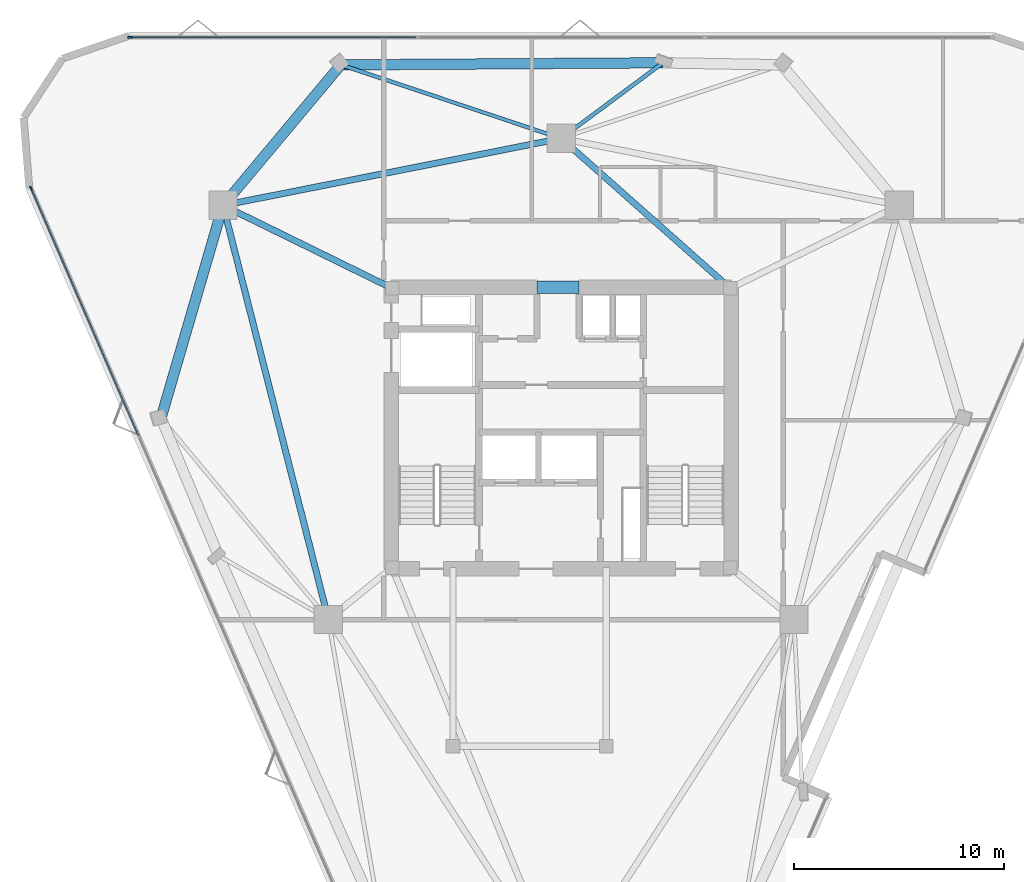
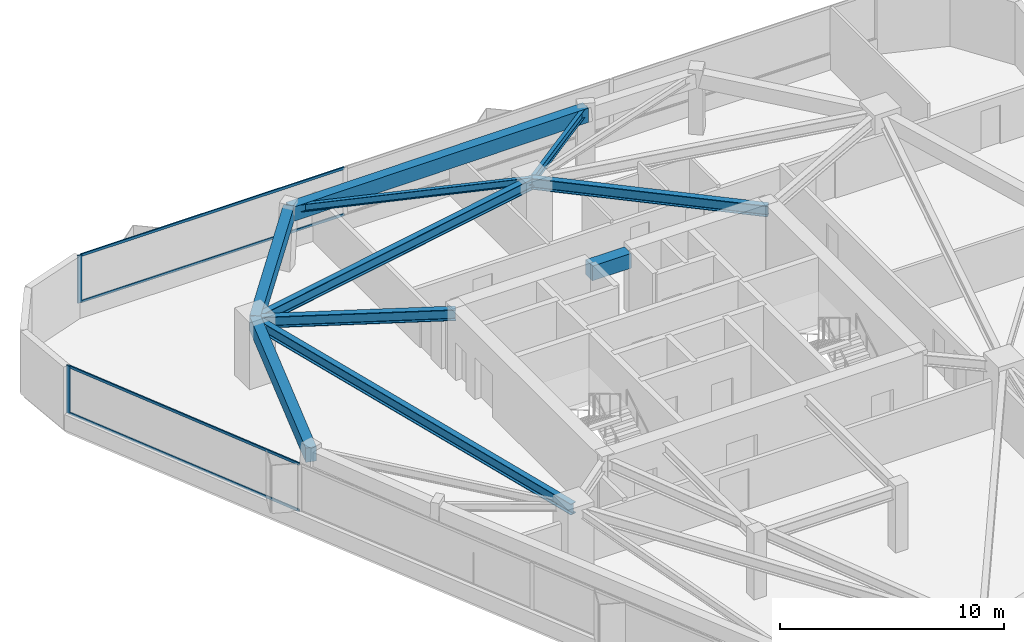
# One storey, part 4 of 9: 10 beams, 6 members, 2 elements without a shape of their own.
"""IFC4 building model written with IfcOpenShell, lengths in metres."""

from ifc_helpers import new_model, si_unit, direction, frame, origin, origin_2d, place, context, subcontext, project, spatial, rectangle, i_section, extrude, material, layer, layer_set, material_profile, profile_set, type_object, element, aggregate, save


model = new_model("IFC4")

# Units and contexts
model_context = context("Model", 3, precision=1e-05, world=origin(), true_north=direction((0.0, 1.0)))
body_context = subcontext(model_context, "Body", "Model", "MODEL_VIEW")
ifc_project = project(units=[si_unit("LENGTHUNIT", "METRE"), si_unit("AREAUNIT", "SQUARE_METRE"), si_unit("VOLUMEUNIT", "CUBIC_METRE"), si_unit("PLANEANGLEUNIT", "RADIAN"), si_unit("MASSUNIT", "GRAM", prefix="KILO")], contexts=[model_context])

# Site, building, storey
site_placement = place(None, origin())
site = spatial("IfcSite", under=ifc_project, at=site_placement, CompositionType="ELEMENT")
building_placement = place(site_placement, origin())
building = spatial("IfcBuilding", under=site, at=building_placement, Name="Talyreon Biosciences Tower", CompositionType="ELEMENT")
storey_placement = place(building_placement, frame((0.0, 0.0, 208.60009765625)))
storey = spatial("IfcBuildingStorey", under=building, at=storey_placement, Name="L55", CompositionType="ELEMENT", Elevation=208.60009765625)

# Curtain wall, member
ifc_material_1 = material(Name="Thermally broken aluminium and low-E glazing", Category="aluminium")
ifc_layer = layer(ifc_material_1, 0.205078125)
ifc_layer_set = layer_set([ifc_layer], Name="Thermally broken aluminium and low-E glazing")
curtain_wall_type = type_object("IfcCurtainWallType", Name="CurtainWall_SkyGardenLoggia", PredefinedType="NOTDEFINED", material=ifc_layer_set)
curtain_wall_1_placement = place(storey_placement, origin())
curtain_wall_1 = element("IfcCurtainWall", 1, at=curtain_wall_1_placement, inside=storey, type_object=curtain_wall_type, Name="L55 Unitised Curtain Wall FCW-L55-03", PredefinedType="NOTDEFINED")
ifc_material_2 = material(Name="Anodised thermally broken aluminium", Category="aluminium")
ifc_material_profile_1 = material_profile(ifc_material_2, rectangle(XDim=0.074951171875, YDim=0.2099609375, at=origin_2d()), Name="ALUM MULLION 75x210")
ifc_profile_set_1 = profile_set([ifc_material_profile_1], Name="Anodised thermally broken aluminium")
member_type_1 = type_object("IfcMemberType", Name="CWMullion_75x210", PredefinedType="MULLION", material=ifc_profile_set_1)
member_1_placement = place(storey_placement, frame((45.47216796875, 86.605224609375, 0.809814453125), z_axis=(0.0, 0.0, 1.0), x_axis=(0.0, 1.0, 0.0)))
member_1 = element("IfcMember", 2, at=member_1_placement, type_object=member_type_1, Name="CW7 mullion 1", PredefinedType="MULLION", context=body_context, shape_type="SweptSolid", body=[
    extrude(rectangle(XDim=0.074951171875, YDim=0.2099609375, at=origin_2d()), origin(), (0.0, 0.0, 1.0), 2.590087890625),
])

curtain_wall_2_placement = place(storey_placement, origin())
curtain_wall_2 = element("IfcCurtainWall", 3, at=curtain_wall_2_placement, inside=storey, type_object=curtain_wall_type, Name="L55 Unitised Curtain Wall FCW-L55-15", PredefinedType="NOTDEFINED")
member_2_placement = place(storey_placement, frame((40.75390625, 79.409912109375, 0.809814453125), z_axis=(0.0, 0.0, 1.0), x_axis=(-0.917113439943, -0.398626314079, 0.0)))
member_2 = element("IfcMember", 4, at=member_2_placement, type_object=member_type_1, Name="CW7 mullion 5", PredefinedType="MULLION", context=body_context, shape_type="SweptSolid", body=[
    extrude(rectangle(XDim=0.074951171875, YDim=0.2099609375, at=origin_2d()), origin(), (0.0, 0.0, 1.0), 2.590087890625),
])

# Member
ifc_material_profile_2 = material_profile(ifc_material_2, rectangle(XDim=0.06494140625, YDim=0.139892578125, at=origin_2d()), Name="ALUM TRANSOM 65x140")
ifc_profile_set_2 = profile_set([ifc_material_profile_2], Name="Anodised thermally broken aluminium")
member_type_2 = type_object("IfcMemberType", Name="CWTransom_65x140", PredefinedType="USERDEFINED", material=ifc_profile_set_2)
member_3_placement = place(storey_placement, frame((45.509521484375, 86.605224609375, 0.84228515625), z_axis=(1.0, 0.0, 0.0), x_axis=(0.0, 1.0, 0.0)))
member_3 = element("IfcMember", 5, at=member_3_placement, type_object=member_type_2, Name="CW7 transom 1.1", ObjectType="TRANSOM", PredefinedType="USERDEFINED", context=body_context, shape_type="SweptSolid", body=[
    extrude(rectangle(XDim=0.06494140625, YDim=0.139892578125, at=origin_2d()), origin(), (0.0, 0.0, 1.0), 13.597900390625),
])

member_4_placement = place(storey_placement, frame((45.509521484375, 86.605224609375, 3.367431640625), z_axis=(1.0, 0.0, 0.0), x_axis=(0.0, 1.0, 0.0)))
member_4 = element("IfcMember", 6, at=member_4_placement, type_object=member_type_2, Name="CW7 transom 1.2", ObjectType="TRANSOM", PredefinedType="USERDEFINED", context=body_context, shape_type="SweptSolid", body=[
    extrude(rectangle(XDim=0.06494140625, YDim=0.139892578125, at=origin_2d()), origin(), (0.0, 0.0, 1.0), 13.597900390625),
])

aggregate(curtain_wall_1, [member_1, member_3, member_4])

member_5_placement = place(storey_placement, frame((45.865478515625, 67.650146484375, 0.84228515625), z_axis=(-0.39864092303, 0.917107089977, 0.0), x_axis=(-0.917107089977, -0.39864092303, 0.0)))
member_5 = element("IfcMember", 7, at=member_5_placement, type_object=member_type_2, Name="CW7 transom 4.1", ObjectType="TRANSOM", PredefinedType="USERDEFINED", context=body_context, shape_type="SweptSolid", body=[
    extrude(rectangle(XDim=0.06494140625, YDim=0.139892578125, at=origin_2d()), origin(), (0.0, 0.0, 1.0), 12.78515625),
])

member_6_placement = place(storey_placement, frame((45.865478515625, 67.650146484375, 3.367431640625), z_axis=(-0.39864092303, 0.917107089977, 0.0), x_axis=(-0.917107089977, -0.39864092303, 0.0)))
member_6 = element("IfcMember", 8, at=member_6_placement, type_object=member_type_2, Name="CW7 transom 4.2", ObjectType="TRANSOM", PredefinedType="USERDEFINED", context=body_context, shape_type="SweptSolid", body=[
    extrude(rectangle(XDim=0.06494140625, YDim=0.139892578125, at=origin_2d()), origin(), (0.0, 0.0, 1.0), 12.78515625),
])

aggregate(curtain_wall_2, [member_2, member_5, member_6])

# Beams
ifc_material_3 = material(Name="Concrete C50/60", Category="concrete")
ifc_material_profile_3 = material_profile(ifc_material_3, rectangle(XDim=0.60009765625, YDim=0.800048828125, at=origin_2d()), Name="RCB 600x800")
ifc_profile_set_3 = profile_set([ifc_material_profile_3], Name="Concrete C50/60")
beam_type_1 = type_object("IfcBeamType", Name="CoreCouplingLintel_600x800", PredefinedType="LINTEL", material=ifc_profile_set_3)
beam_1_placement = place(storey_placement, frame((64.85009765625, 74.699951171875, 3.0), z_axis=(1.0, 0.0, 0.0), x_axis=(0.0, 1.0, 0.0)))
element("IfcBeam", 9, at=beam_1_placement, inside=storey, type_object=beam_type_1, Name="L55 Core Coupling Lintel", PredefinedType="LINTEL", context=body_context, shape_type="SweptSolid", body=[
    extrude(rectangle(XDim=0.60009765625, YDim=0.800048828125, at=origin_2d()), origin(), (0.0, 0.0, 1.0), 2.0),
])
ifc_material_4 = material(Name="Precast concrete C45/55", Category="concrete")
ifc_material_profile_4 = material_profile(ifc_material_4, rectangle(XDim=0.5, YDim=0.780029296875, at=origin_2d()), Name="RCB 500x780")
ifc_profile_set_4 = profile_set([ifc_material_profile_4], Name="Precast concrete C45/55")
beam_type_2 = type_object("IfcBeamType", Name="ExpressedSpandrel_500x780", PredefinedType="SPANDREL", material=ifc_profile_set_4)
beam_2_placement = place(storey_placement, frame((70.84521484375, 85.390625, 3.010009765625), z_axis=(-0.999978823824, -0.006507834054, 0.0), x_axis=(0.006507834054, -0.999978823824, 0.0)))
element("IfcBeam", 10, at=beam_2_placement, inside=storey, type_object=beam_type_2, Name="L55 Expressed Horizontal Concrete Spandrel 07", PredefinedType="SPANDREL", context=body_context, shape_type="SweptSolid", body=[
    extrude(rectangle(XDim=0.5, YDim=0.780029296875, at=origin_2d()), origin(), (0.0, 0.0, 1.0), 15.343505859375),
])
beam_3_placement = place(storey_placement, frame((55.501953125, 85.290771484375, 3.010009765625), z_axis=(-0.64203951969, -0.766671543203, 0.0), x_axis=(0.766671543203, -0.64203951969, 0.0)))
element("IfcBeam", 11, at=beam_3_placement, inside=storey, type_object=beam_type_2, Name="L55 Expressed Horizontal Concrete Spandrel 08", PredefinedType="SPANDREL", context=body_context, shape_type="SweptSolid", body=[
    extrude(rectangle(XDim=0.5, YDim=0.780029296875, at=origin_2d()), origin(), (0.0, 0.0, 1.0), 8.728759765625),
])
beam_4_placement = place(storey_placement, frame((49.897705078125, 78.5986328125, 3.010009765625), z_axis=(-0.280225765429, -0.959934122943, 0.0), x_axis=(0.959934122943, -0.280225765429, 0.0)))
element("IfcBeam", 12, at=beam_4_placement, inside=storey, type_object=beam_type_2, Name="L55 Expressed Horizontal Concrete Spandrel 09", PredefinedType="SPANDREL", context=body_context, shape_type="SweptSolid", body=[
    extrude(rectangle(XDim=0.5, YDim=0.780029296875, at=origin_2d()), origin(), (0.0, 0.0, 1.0), 10.547119140625),
])
ifc_material_5 = material(Name="Steel SM355", Category="steel")
ifc_material_profile_5 = material_profile(ifc_material_5, i_section(OverallWidth=0.300048828125, OverallDepth=0.60009765625, WebThickness=0.015380859375, FlangeThickness=0.030029296875, FilletRadius=0.027099609375, at=origin_2d()), Name="HE600B")
ifc_profile_set_5 = profile_set([ifc_material_profile_5], Name="Steel SM355")
beam_type_3 = type_object("IfcBeamType", Name="SteelBeam_HE600B", PredefinedType="BEAM", material=ifc_profile_set_5)
beam_5_placement = place(storey_placement, frame((66.0, 81.788818359375, 3.099853515625), z_axis=(-0.980933730698, -0.194342522311, 0.0), x_axis=(0.194342522311, -0.980933730698, 0.0)))
element("IfcBeam", 13, at=beam_5_placement, inside=storey, type_object=beam_type_3, Name="L55 Mega-Ring Girder 4", PredefinedType="BEAM", context=body_context, shape_type="SweptSolid", body=[
    extrude(i_section(OverallWidth=0.300048828125, OverallDepth=0.60009765625, WebThickness=0.015380859375, FlangeThickness=0.030029296875, FilletRadius=0.027099609375, at=origin_2d()), origin(), (0.0, 0.0, 1.0), 16.415283203125),
])
beam_6_placement = place(storey_placement, frame((49.897705078125, 78.5986328125, 3.099853515625), z_axis=(0.246537082299, -0.969133358755, 0.0), x_axis=(0.969133358755, 0.246537082299, 0.0)))
element("IfcBeam", 14, at=beam_6_placement, inside=storey, type_object=beam_type_3, Name="L55 Mega-Ring Girder 5", PredefinedType="BEAM", context=body_context, shape_type="SweptSolid", body=[
    extrude(i_section(OverallWidth=0.300048828125, OverallDepth=0.60009765625, WebThickness=0.015380859375, FlangeThickness=0.030029296875, FilletRadius=0.027099609375, at=origin_2d()), origin(), (0.0, 0.0, 1.0), 20.34619140625),
])
beam_7_placement = place(storey_placement, frame((74.050048828125, 74.64990234375, 3.099853515625), z_axis=(-0.748178733955, 0.663497235908, 0.0), x_axis=(-0.663497235908, -0.748178733955, 0.0)))
element("IfcBeam", 15, at=beam_7_placement, inside=storey, type_object=beam_type_3, Name="L55 Radial Primary Girder 4", PredefinedType="BEAM", context=body_context, shape_type="SweptSolid", body=[
    extrude(i_section(OverallWidth=0.300048828125, OverallDepth=0.60009765625, WebThickness=0.015380859375, FlangeThickness=0.030029296875, FilletRadius=0.027099609375, at=origin_2d()), origin(), (0.0, 0.0, 1.0), 10.759521484375),
])
beam_8_placement = place(storey_placement, frame((57.949951171875, 74.64990234375, 3.099853515625), z_axis=(-0.897852360314, 0.440296648952, 0.0), x_axis=(-0.440296648952, -0.897852360314, 0.0)))
element("IfcBeam", 16, at=beam_8_placement, inside=storey, type_object=beam_type_3, Name="L55 Radial Primary Girder 5", PredefinedType="BEAM", context=body_context, shape_type="SweptSolid", body=[
    extrude(i_section(OverallWidth=0.300048828125, OverallDepth=0.60009765625, WebThickness=0.015380859375, FlangeThickness=0.030029296875, FilletRadius=0.027099609375, at=origin_2d()), origin(), (0.0, 0.0, 1.0), 8.96826171875),
])
ifc_material_profile_6 = material_profile(ifc_material_5, i_section(OverallWidth=0.179931640625, OverallDepth=0.39990234375, WebThickness=0.008544921875, FlangeThickness=0.013427734375, FilletRadius=0.02099609375, at=origin_2d()), Name="IPE400")
ifc_profile_set_6 = profile_set([ifc_material_profile_6], Name="Steel SM355")
beam_type_4 = type_object("IfcBeamType", Name="SteelJoist_IPE400", PredefinedType="JOIST", material=ifc_profile_set_6)
beam_9_placement = place(storey_placement, frame((66.0, 81.788818359375, 3.199951171875), z_axis=(-0.948612679979, 0.316439541433, 0.0), x_axis=(-0.316439541433, -0.948612679979, 0.0)))
element("IfcBeam", 17, at=beam_9_placement, inside=storey, type_object=beam_type_4, Name="L55 Radial Composite Floor Joist PC-N2", PredefinedType="JOIST", context=body_context, shape_type="SweptSolid", body=[
    extrude(i_section(OverallWidth=0.179931640625, OverallDepth=0.39990234375, WebThickness=0.008544921875, FlangeThickness=0.013427734375, FilletRadius=0.02099609375, at=origin_2d()), origin(), (0.0, 0.0, 1.0), 11.066650390625),
])
ifc_material_profile_7 = material_profile(ifc_material_5, i_section(OverallWidth=0.18994140625, OverallDepth=0.449951171875, WebThickness=0.009521484375, FlangeThickness=0.0146484375, FilletRadius=0.02099609375, at=origin_2d()), Name="IPE450")
ifc_profile_set_7 = profile_set([ifc_material_profile_7], Name="Steel SM355")
beam_type_5 = type_object("IfcBeamType", Name="SteelJoist_IPE450", PredefinedType="JOIST", material=ifc_profile_set_7)
beam_10_placement = place(storey_placement, frame((66.0, 81.788818359375, 3.1748046875), z_axis=(0.802545247819, 0.596591254715, 0.0), x_axis=(-0.596591254715, 0.802545247819, 0.0)))
element("IfcBeam", 18, at=beam_10_placement, inside=storey, type_object=beam_type_5, Name="L55 Radial Composite Floor Joist PL-N", PredefinedType="JOIST", context=body_context, shape_type="SweptSolid", body=[
    extrude(i_section(OverallWidth=0.18994140625, OverallDepth=0.449951171875, WebThickness=0.009521484375, FlangeThickness=0.0146484375, FilletRadius=0.02099609375, at=origin_2d()), origin(), (0.0, 0.0, 1.0), 6.037353515625),
])

save(model, "model.ifc")
